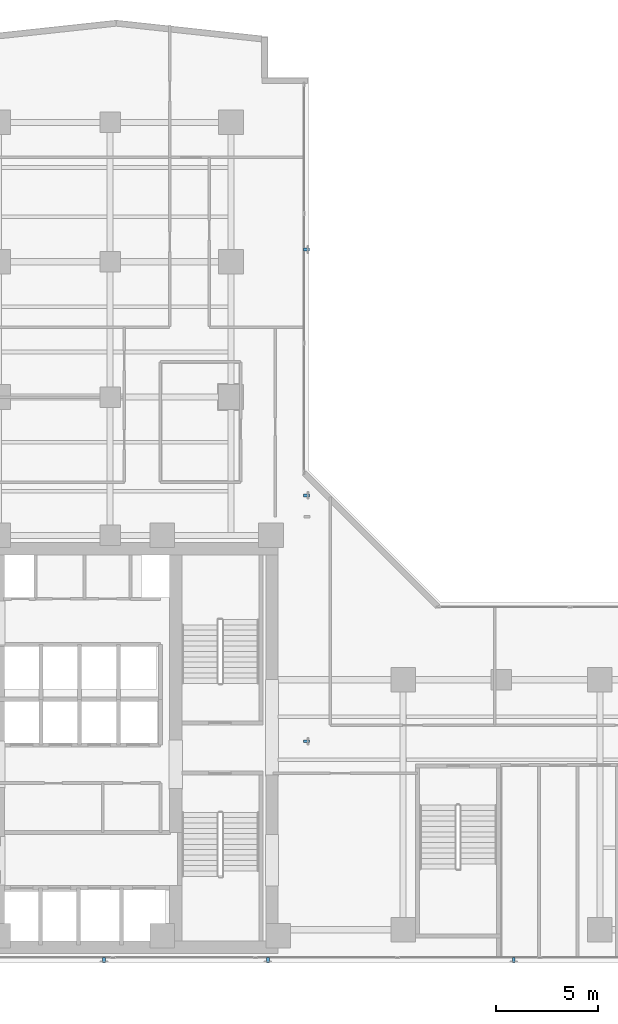
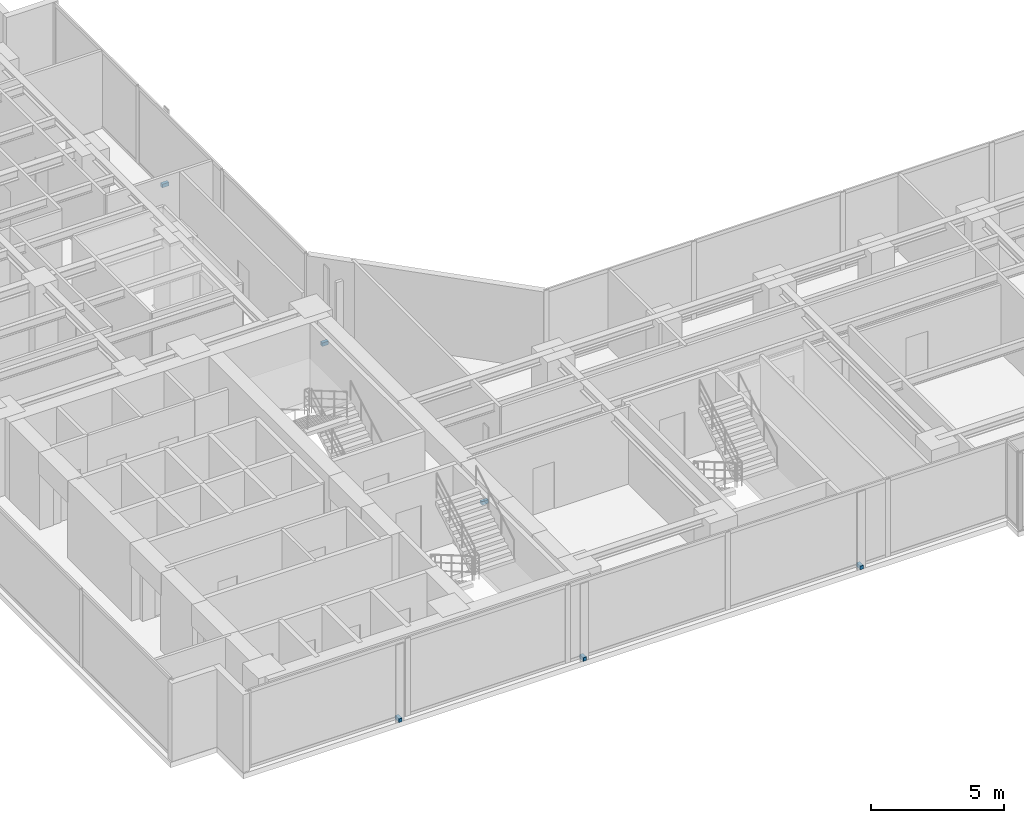
# One storey, part 22 of 26: 6 discrete accessories.
"""IFC4 building model written with IfcOpenShell, lengths in metres."""

from ifc_helpers import new_model, si_unit, direction, frame, origin, origin_with_axes, origin_2d, place, context, subcontext, project, spatial, rectangle, extrude, source, transform, mapped, material, type_object, element, save


model = new_model("IFC4")

# Units and contexts
model_context = context("Model", 3, precision=1e-05, world=origin(), true_north=direction((0.0, 1.0)))
body_context = subcontext(model_context, "Body", "Model", "MODEL_VIEW")
ifc_project = project(units=[si_unit("LENGTHUNIT", "METRE"), si_unit("AREAUNIT", "SQUARE_METRE"), si_unit("VOLUMEUNIT", "CUBIC_METRE"), si_unit("PLANEANGLEUNIT", "RADIAN"), si_unit("MASSUNIT", "GRAM", prefix="KILO")], contexts=[model_context])

# Site, building, storey
site_placement = place(None, origin())
site = spatial("IfcSite", under=ifc_project, at=site_placement, CompositionType="ELEMENT")
building_placement = place(site_placement, origin())
building = spatial("IfcBuilding", under=site, at=building_placement, Name="Kolvaren Waterfront Exchange", CompositionType="ELEMENT")
storey_placement = place(building_placement, frame((0.0, 0.0, 165.199951171875)))
storey = spatial("IfcBuildingStorey", under=building, at=storey_placement, Name="L42", CompositionType="ELEMENT", Elevation=165.199951171875)

# Discrete accessories
ifc_material = material(Name="Stainless steel 316", Category="steel")
discrete_accessory_type = type_object("IfcDiscreteAccessoryType", Name="ARC-BRK-FIN", PredefinedType="BRACKET", material=ifc_material)
shared_shape = source(origin_with_axes(), body_context, "Body", "SweptSolid", [
    extrude(rectangle(XDim=0.280029296875, YDim=0.139892578125, at=origin_2d()), origin(), (0.0, 0.0, 1.0), 0.159912109375),
])
for number, where, z_axis, x_axis, name in (
    (1, (12.60009765625, 3.719970703125, 0.0), (0.0, 0.0, 1.0), (0.0, -1.0, 0.0), "L42 bronze fin anchor bracket FIN-L42-S1"),
    (2, (20.60009765625, 3.719970703125, 0.0), (0.0, 0.0, 1.0), (0.0, -1.0, 0.0), "L42 bronze fin anchor bracket FIN-L42-S2"),
    (3, (32.60009765625, 3.719970703125, 0.0), (0.0, 0.0, 1.0), (0.0, -1.0, 0.0), "L42 bronze fin anchor bracket FIN-L42-S3"),
    (4, (22.47998046875, 14.39990234375, 0.0), (0.0, 0.0, 1.0), (1.0, 0.0, 0.0), "L42 bronze fin anchor bracket FIN-L42-E1"),
    (5, (22.47998046875, 26.39990234375, 0.0), (0.0, 0.0, 1.0), (1.0, 0.0, 0.0), "L42 bronze fin anchor bracket FIN-L42-E2"),
    (6, (22.47998046875, 38.39990234375, 0.0), (0.0, 0.0, 1.0), (1.0, 0.0, 0.0), "L42 bronze fin anchor bracket FIN-L42-E3"),
):
    element("IfcDiscreteAccessory", number, at=place(storey_placement, frame(where, z_axis=z_axis, x_axis=x_axis)), inside=storey, type_object=discrete_accessory_type, Name=name, PredefinedType="BRACKET", context=body_context, shape_type="MappedRepresentation", body=[
        mapped(shared_shape, transform((0.0, 0.0, 0.0), x_axis=(1.0, 0.0, 0.0), y_axis=(0.0, 1.0, 0.0), z_axis=(0.0, 0.0, 1.0), scale=1.0)),
    ])

save(model, "model.ifc")
